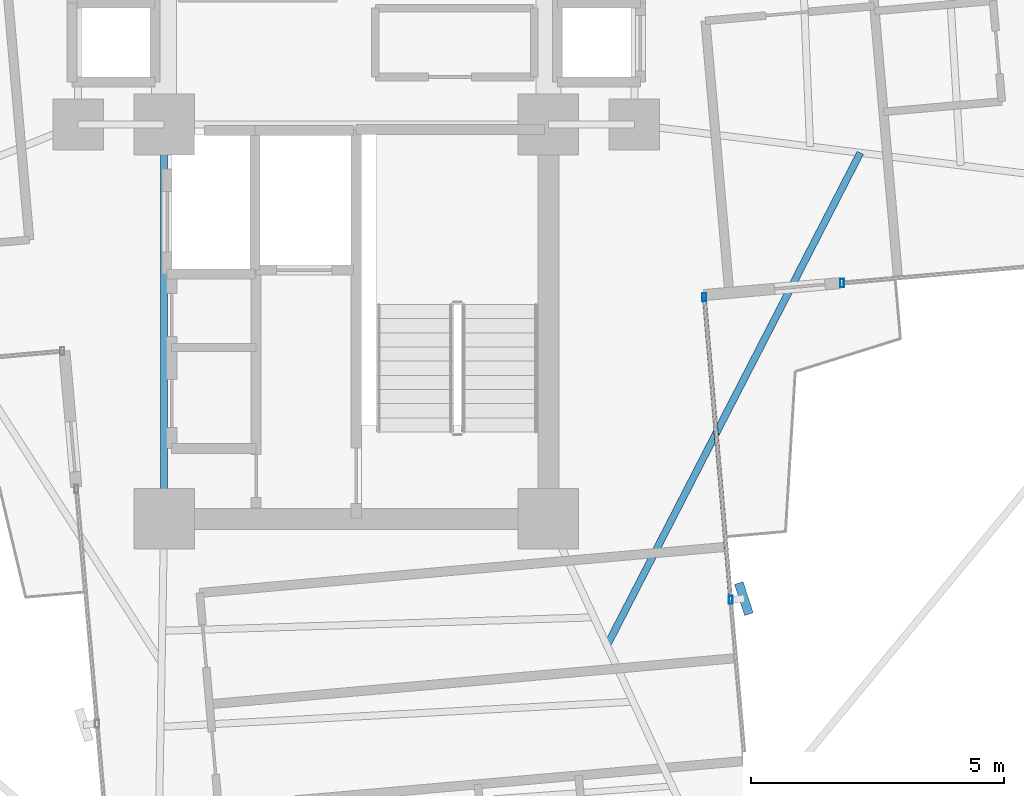
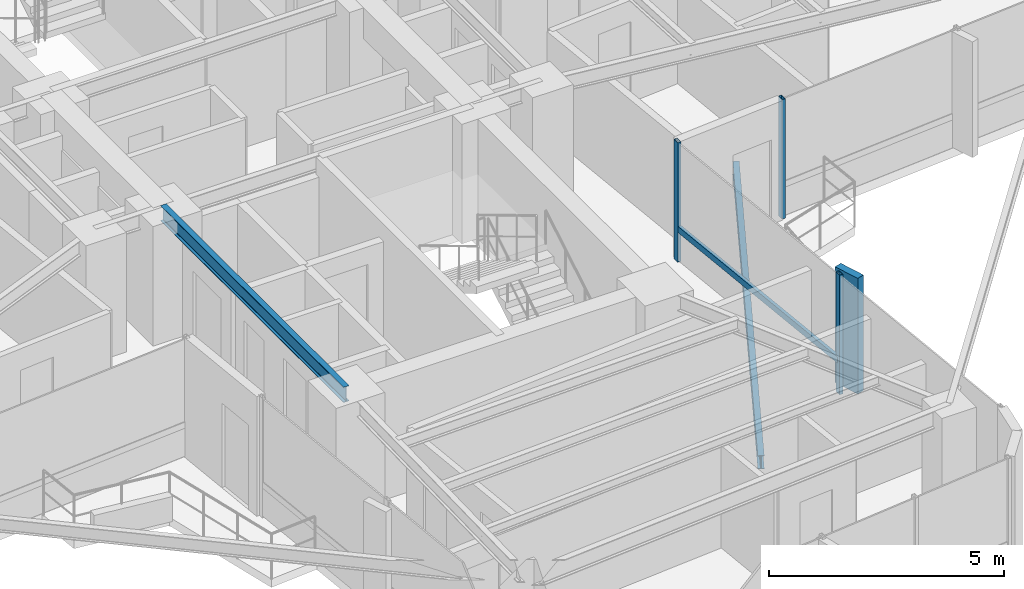
# One storey, part 7 of 24: 5 members, 2 beams, 2 elements without a shape of their own.
"""IFC4 building model written with IfcOpenShell, lengths in metres."""

from ifc_helpers import new_model, si_unit, direction, frame, origin, origin_2d, place, context, subcontext, project, spatial, rectangle, hollow_rectangle, i_section, extrude, source, transform, mapped, material, material_profile, profile_set, type_object, element, aggregate, save


model = new_model("IFC4")

# Units and contexts
model_context = context("Model", 3, precision=1e-05, world=origin(), true_north=direction((0.0, 1.0)))
body_context = subcontext(model_context, "Body", "Model", "MODEL_VIEW")
ifc_project = project(units=[si_unit("LENGTHUNIT", "METRE"), si_unit("AREAUNIT", "SQUARE_METRE"), si_unit("VOLUMEUNIT", "CUBIC_METRE"), si_unit("PLANEANGLEUNIT", "RADIAN"), si_unit("MASSUNIT", "GRAM", prefix="KILO")], contexts=[model_context])

# Site, building, storey
site_placement = place(None, origin())
site = spatial("IfcSite", under=ifc_project, at=site_placement, CompositionType="ELEMENT")
building_placement = place(site_placement, origin())
building = spatial("IfcBuilding", under=site, at=building_placement, Name="Sahyath Konkavel Grand Hotel", CompositionType="ELEMENT")
storey_placement = place(building_placement, frame((0.0, 0.0, 195.300048828125)))
storey = spatial("IfcBuildingStorey", under=building, at=storey_placement, Name="L54", CompositionType="ELEMENT", Elevation=195.300048828125)

# Beam
ifc_material_1 = material(Name="Steel E350", Category="steel")
ifc_material_profile_1 = material_profile(ifc_material_1, i_section(OverallWidth=0.139892578125, OverallDepth=0.39990234375, WebThickness=0.0087890625, FlangeThickness=0.01611328125, FilletRadius=0.013916015625, at=origin_2d()), Name="ISMB 400")
ifc_profile_set_1 = profile_set([ifc_material_profile_1], Name="Steel E350")
beam_type_1 = type_object("IfcBeamType", Name="BM-ISMB400", PredefinedType="BEAM", material=ifc_profile_set_1)
shared_shape_1 = source(origin(), body_context, "Body", "SweptSolid", [
    extrude(i_section(OverallWidth=0.139892578125, OverallDepth=0.39990234375, WebThickness=0.0087890625, FlangeThickness=0.01611328125, FilletRadius=0.013916015625, at=origin_2d()), origin(), (0.0, 0.0, 1.0), 7.800048828125),
])
beam_1_placement = place(storey_placement, frame((-3.800048828125, -10.199951171875, 2.909912109375), z_axis=(0.0, 1.0, 0.0), x_axis=(-1.0, 0.0, 0.0)))
element("IfcBeam", 1, at=beam_1_placement, inside=storey, type_object=beam_type_1, Name="str:bm:L54:SC-W", PredefinedType="BEAM", context=body_context, shape_type="MappedRepresentation", body=[
    mapped(shared_shape_1, transform((0.0, 0.0, 0.0), scale=1.0)),
])

# Curtain wall, member
ifc_material_2 = material(Name="Anodised Bronze Aluminium & Low-E Glazing", Category="aluminium")
curtain_wall_type = type_object("IfcCurtainWallType", Name="CW-ZONE3", PredefinedType="NOTDEFINED", material=ifc_material_2)
curtain_wall_1_placement = place(storey_placement, origin())
curtain_wall_1 = element("IfcCurtainWall", 2, at=curtain_wall_1_placement, inside=storey, type_object=curtain_wall_type, Name="L54 Unitised Curtain Wall F0", PredefinedType="NOTDEFINED")
ifc_material_3 = material(Name="Anodised Bronze Aluminium", Category="aluminium")
ifc_material_profile_2 = material_profile(ifc_material_3, hollow_rectangle(XDim=0.080078125, YDim=0.159912109375, WallThickness=0.006103515625, at=origin_2d()), Name="RHS 160x80x6")
ifc_profile_set_2 = profile_set([ifc_material_profile_2], Name="Anodised Bronze Aluminium")
member_type_1 = type_object("IfcMemberType", Name="CW-MUL-160", PredefinedType="MULLION", material=ifc_profile_set_2)
shared_shape_2 = source(origin(), body_context, "Body", "SweptSolid", [
    extrude(hollow_rectangle(XDim=0.080078125, YDim=0.159912109375, WallThickness=0.006103515625, at=origin_2d()), origin(), (0.0, 0.0, 1.0), 3.10986328125),
])
member_1_placement = place(storey_placement, frame((9.60888671875, -5.53369140625, 0.0), z_axis=(0.0, 0.0, 1.0), x_axis=(1.0, 0.0, 0.0)))
member_1 = element("IfcMember", 3, at=member_1_placement, type_object=member_type_1, Name="L54 Curtain Wall Mullion F0-0", PredefinedType="MULLION", context=body_context, shape_type="MappedRepresentation", body=[
    mapped(shared_shape_2, transform((0.0, 0.0, 0.0), scale=1.0)),
])
aggregate(curtain_wall_1, [member_1])

# Curtain wall, members
curtain_wall_2_placement = place(storey_placement, origin())
curtain_wall_2 = element("IfcCurtainWall", 4, at=curtain_wall_2_placement, inside=storey, type_object=curtain_wall_type, Name="L54 Unitised Curtain Wall F31", PredefinedType="NOTDEFINED")
member_2_placement = place(storey_placement, frame((7.406494140625, -11.79931640625, 0.0), z_axis=(0.0, 0.0, 1.0), x_axis=(1.0, 0.0, 0.0)))
member_2 = element("IfcMember", 5, at=member_2_placement, type_object=member_type_1, Name="L54 Curtain Wall Mullion F31-1", PredefinedType="MULLION", context=body_context, shape_type="MappedRepresentation", body=[
    mapped(shared_shape_2, transform((0.0, 0.0, 0.0), scale=1.0)),
])
member_3_placement = place(storey_placement, frame((6.8828125, -5.812255859375, 0.0), z_axis=(0.0, 0.0, 1.0), x_axis=(1.0, 0.0, 0.0)))
member_3 = element("IfcMember", 6, at=member_3_placement, type_object=member_type_1, Name="L54 Curtain Wall Mullion F31-2", PredefinedType="MULLION", context=body_context, shape_type="MappedRepresentation", body=[
    mapped(shared_shape_2, transform((0.0, 0.0, 0.0), scale=1.0)),
])
ifc_material_4 = material(Name="Warm Buff Sandstone Cladding on Concrete C50/60", Category="masonry")
ifc_material_profile_3 = material_profile(ifc_material_4, rectangle(XDim=0.179931640625, YDim=0.64990234375, at=origin_2d()), Name="FIN 180x650")
ifc_profile_set_3 = profile_set([ifc_material_profile_3], Name="Warm Buff Sandstone Cladding on Concrete C50/60")
member_type_2 = type_object("IfcMemberType", Name="FIN-SANDSTONE-650", PredefinedType="MULLION", material=ifc_profile_set_3)
shared_shape_3 = source(origin(), body_context, "Body", "SweptSolid", [
    extrude(rectangle(XDim=0.179931640625, YDim=0.64990234375, at=origin_2d()), origin(), (0.0, 0.0, 1.0), 3.010009765625),
])
member_4_placement = place(storey_placement, frame((7.66552734375, -11.776611328125, 0.050048828125), z_axis=(0.0, 0.0, 1.0), x_axis=(0.951056516295, 0.309016994375, 0.0)))
member_4 = element("IfcMember", 7, at=member_4_placement, type_object=member_type_2, Name="L54 Sandstone Vertical Solar Fin FIN F31-1", PredefinedType="MULLION", context=body_context, shape_type="MappedRepresentation", body=[
    mapped(shared_shape_3, transform((0.0, 0.0, 0.0), scale=1.0)),
])
ifc_material_profile_4 = material_profile(ifc_material_3, hollow_rectangle(XDim=0.080078125, YDim=0.159912109375, WallThickness=0.006103515625, at=origin_2d()), Name="RHS 160x80x6")
ifc_profile_set_4 = profile_set([ifc_material_profile_4], Name="Anodised Bronze Aluminium")
member_type_3 = type_object("IfcMemberType", Name="CW-TRN-160", PredefinedType="USERDEFINED", material=ifc_profile_set_4)
shared_shape_4 = source(origin(), body_context, "Body", "SweptSolid", [
    extrude(hollow_rectangle(XDim=0.080078125, YDim=0.159912109375, WallThickness=0.006103515625, at=origin_2d()), origin(), (0.0, 0.0, 1.0), 6.010009765625),
])
member_5_placement = place(storey_placement, frame((7.406494140625, -11.79931640625, 0.849853515625), z_axis=(-0.087136210597, 0.996196406741, 0.0), x_axis=(-0.996196406741, -0.087136210597, 0.0)))
member_5 = element("IfcMember", 8, at=member_5_placement, type_object=member_type_3, Name="L54 Curtain Wall Transom F31-1-spandrel", ObjectType="TRANSOM", PredefinedType="USERDEFINED", context=body_context, shape_type="MappedRepresentation", body=[
    mapped(shared_shape_4, transform((0.0, 0.0, 0.0), scale=1.0)),
])
aggregate(curtain_wall_2, [member_2, member_4, member_3, member_5])

# Beam
ifc_material_profile_5 = material_profile(ifc_material_1, i_section(OverallWidth=0.139892578125, OverallDepth=0.35009765625, WebThickness=0.008056640625, FlangeThickness=0.01416015625, FilletRadius=0.013916015625, at=origin_2d()), Name="ISMB 350")
ifc_profile_set_5 = profile_set([ifc_material_profile_5], Name="Steel E350")
beam_type_2 = type_object("IfcBeamType", Name="BM-BALC-CANT", PredefinedType="BEAM", material=ifc_profile_set_5)
shared_shape_5 = source(origin(), body_context, "Body", "SweptSolid", [
    extrude(i_section(OverallWidth=0.139892578125, OverallDepth=0.35009765625, WebThickness=0.008056640625, FlangeThickness=0.01416015625, FilletRadius=0.013916015625, at=origin_2d()), origin(), (0.0, 0.0, 1.0), 10.95556640625),
])
beam_2_placement = place(storey_placement, frame((4.959716796875, -12.703125, -0.4150390625), z_axis=(0.457186878355, 0.889370652912, 0.0), x_axis=(-0.889370652912, 0.457186878355, 0.0)))
element("IfcBeam", 9, at=beam_2_placement, inside=storey, type_object=beam_type_2, Name="L54 Balcony Cantilever Support Beam SE", PredefinedType="BEAM", context=body_context, shape_type="MappedRepresentation", body=[
    mapped(shared_shape_5, transform((0.0, 0.0, 0.0), scale=1.0)),
])

save(model, "model.ifc")
